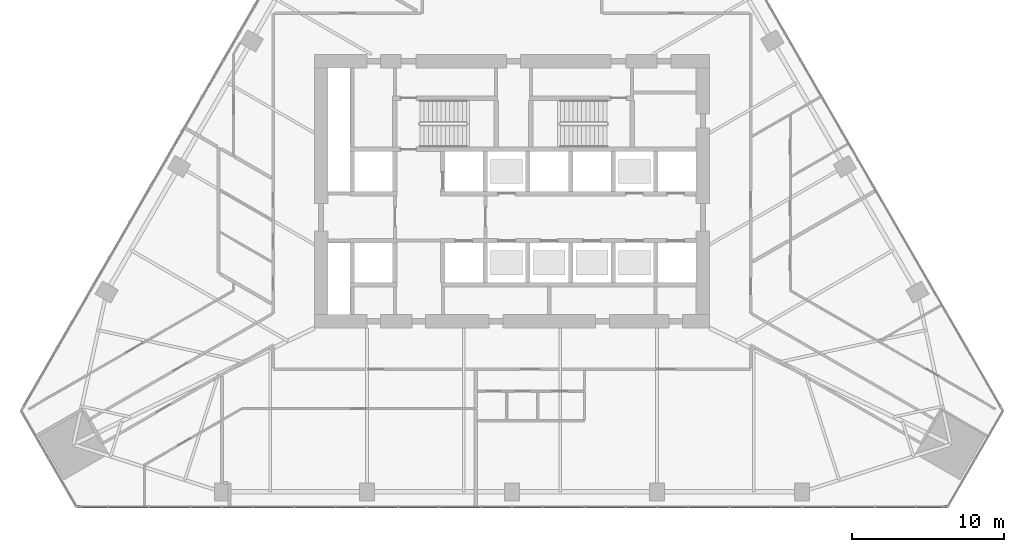
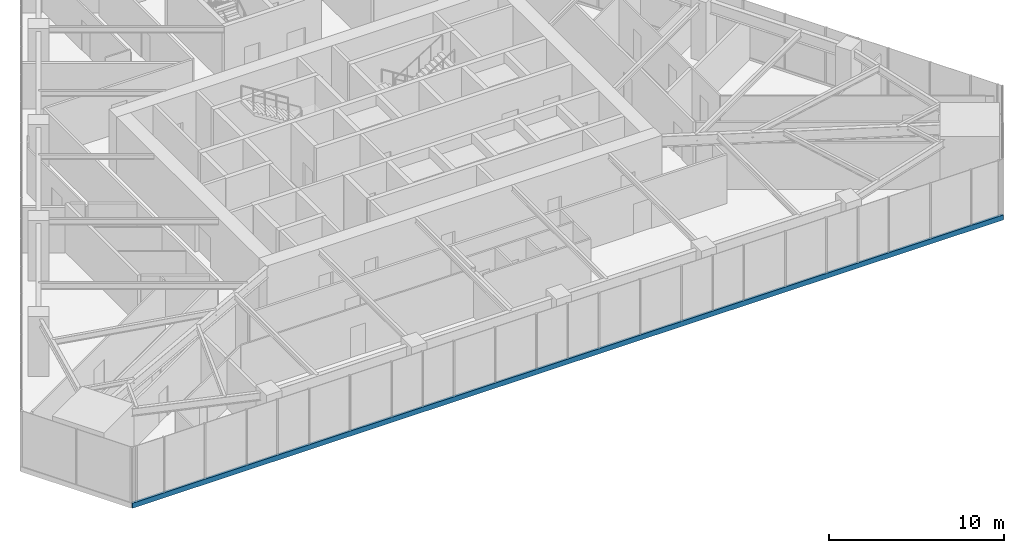
# One storey, part 6 of 26: 1 member, 1 element without a shape of its own.
"""IFC4 building model written with IfcOpenShell, lengths in metres."""

from ifc_helpers import new_model, si_unit, direction, frame, origin, origin_2d, place, context, subcontext, project, spatial, rectangle, extrude, material, layer, layer_set, material_profile, profile_set, type_object, element, aggregate, save


model = new_model("IFC4")

# Units and contexts
model_context = context("Model", 3, precision=1e-05, world=origin(), true_north=direction((0.0, 1.0)))
body_context = subcontext(model_context, "Body", "Model", "MODEL_VIEW")
ifc_project = project(units=[si_unit("LENGTHUNIT", "METRE"), si_unit("AREAUNIT", "SQUARE_METRE"), si_unit("VOLUMEUNIT", "CUBIC_METRE"), si_unit("PLANEANGLEUNIT", "RADIAN"), si_unit("MASSUNIT", "GRAM", prefix="KILO")], contexts=[model_context])

# Site, building, storey
site_placement = place(None, origin())
site = spatial("IfcSite", under=ifc_project, at=site_placement, CompositionType="ELEMENT")
building_placement = place(site_placement, origin())
building = spatial("IfcBuilding", under=site, at=building_placement, Name="Firuza Gate Tower and Library", CompositionType="ELEMENT")
storey_placement = place(building_placement, frame((0.0, 0.0, 65.199951171875)))
storey = spatial("IfcBuildingStorey", under=building, at=storey_placement, Name="L14", CompositionType="ELEMENT", Elevation=65.199951171875)

# Curtain wall, member
ifc_material_1 = material(Name="Aluminium 6063-T6", Category="aluminium")
ifc_layer = layer(ifc_material_1, 0.14990234375)
ifc_layer_set = layer_set([ifc_layer], Name="Unitised curtain wall, offices")
curtain_wall_type = type_object("IfcCurtainWallType", Name="Unitised curtain wall, offices", PredefinedType="NOTDEFINED", material=ifc_layer_set)
curtain_wall_placement = place(storey_placement, origin())
curtain_wall = element("IfcCurtainWall", 1, at=curtain_wall_placement, inside=storey, type_object=curtain_wall_type, Name="CW1 L14 S face", PredefinedType="NOTDEFINED")
ifc_material_2 = material(Name="Aluminium 6063-T6", Category="aluminium")
ifc_material_profile = material_profile(ifc_material_2, rectangle(XDim=0.14990234375, YDim=0.35009765625, at=origin_2d()))
ifc_profile_set = profile_set([ifc_material_profile], Name="Aluminium 6063-T6")
member_type = type_object("IfcMemberType", Name="Curtain wall transom 350x150", PredefinedType="USERDEFINED", material=ifc_profile_set)
member_placement = place(storey_placement, frame((46.353271484375, 54.25390625, -0.02490234375), z_axis=(1.0, 0.0, 0.0), x_axis=(0.0, 1.0, 0.0)))
member = element("IfcMember", 2, at=member_placement, type_object=member_type, Name="Transom", ObjectType="TRANSOM", PredefinedType="USERDEFINED", context=body_context, shape_type="SweptSolid", body=[
    extrude(rectangle(XDim=0.14990234375, YDim=0.35009765625, at=origin_2d()), origin(), (0.0, 0.0, 1.0), 57.29345703125),
])
aggregate(curtain_wall, [member])

save(model, "model.ifc")
